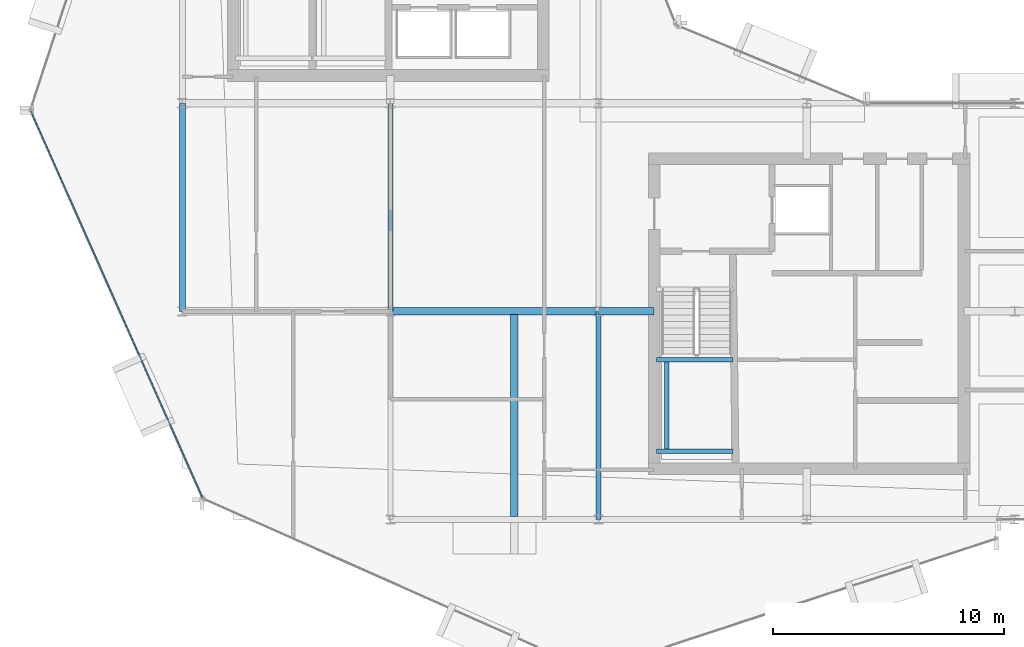
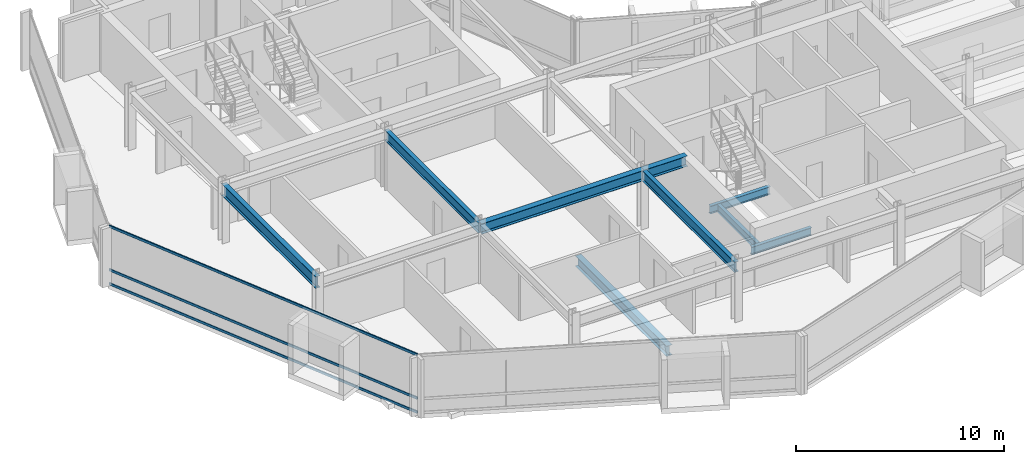
# One storey, part 5 of 28: 9 beams, 3 members, 1 element without a shape of its own.
"""IFC4 building model written with IfcOpenShell, lengths in metres."""

import ifcopenshell
import ifcopenshell.guid

model = None  # the IFC model being written
_history = None  # IfcOwnerHistory: only IFC2X3 demands one
_inside = {}  # id of a spatial element -> (the spatial element, [elements in it])
_under = {}  # id of a project, library or spatial element -> (it, [spatial elements below it])
_declared = {}  # id of a project -> (the project, [libraries it declares])
_typed = {}  # id of a type object -> (the type object, [elements of that type])
_made_of = {}  # id of a material, layer set ... -> (it, [elements and type objects made of it])


def new_model(schema):
    """Start an empty IFC model of exactly this schema.

    Asked for "IFC4X3", IfcOpenShell would pick the latest addendum, in which some entities
    have other attributes; the version numbers below select the first issue.
    IFC2X3 requires an IfcOwnerHistory on every rooted entity: one is made here for all.
    """
    global model, _history
    if schema == "IFC4X3":
        model = ifcopenshell.file(schema_version=(4, 3, 0, 0))
    else:
        model = ifcopenshell.file(schema=schema)
    _inside.clear()
    _under.clear()
    _declared.clear()
    _typed.clear()
    _made_of.clear()
    _history = None
    if model.schema == "IFC2X3":
        org = make("IfcOrganization", Name="unknown")
        user = make(
            "IfcPersonAndOrganization",
            ThePerson=make("IfcPerson", FamilyName="unknown"),
            TheOrganization=org,
        )
        app = make(
            "IfcApplication",
            ApplicationDeveloper=org,
            Version="unknown",
            ApplicationFullName="unknown",
            ApplicationIdentifier="unknown",
        )
        _history = make(
            "IfcOwnerHistory",
            OwningUser=user,
            OwningApplication=app,
            ChangeAction="ADDED",
            CreationDate=0,
        )
    return model


def make(cls, **values):
    """One entity of the class cls with the attributes given. An attribute that is None is left unset."""
    return model.create_entity(
        cls, **{name: value for name, value in values.items() if value is not None}
    )


def rooted(cls, **values):
    """An entity with a GlobalId (a new one), such as an element, a storey or a relation."""
    return make(cls, GlobalId=ifcopenshell.guid.new(), OwnerHistory=_history, **values)


def si_unit(unit_type, name, prefix=None):
    """IfcSIUnit, for example si_unit("LENGTHUNIT", "METRE", prefix="MILLI")."""
    return make("IfcSIUnit", UnitType=unit_type, Prefix=prefix, Name=name)


def assignment(units):
    """IfcUnitAssignment: the units of a project."""
    return None if units is None else make("IfcUnitAssignment", Units=units)


def point(xyz):
    """IfcCartesianPoint."""
    return None if xyz is None else make("IfcCartesianPoint", Coordinates=xyz)


def direction(xyz):
    """IfcDirection."""
    return None if xyz is None else make("IfcDirection", DirectionRatios=xyz)


def frame(location, z_axis=None, x_axis=None):
    """IfcAxis2Placement3D, a coordinate frame: its origin and axes. An axis left out is left unset."""
    return make(
        "IfcAxis2Placement3D",
        Location=point(location),
        Axis=direction(z_axis),
        RefDirection=direction(x_axis),
    )


def frame_2d(location, x_axis=None):
    """IfcAxis2Placement2D, a coordinate frame in the plane: its origin and x axis."""
    return make(
        "IfcAxis2Placement2D", Location=point(location), RefDirection=direction(x_axis)
    )


def origin():
    """The frame at (0, 0, 0) with its axes left unset."""
    return frame((0.0, 0.0, 0.0))


def origin_2d():
    """The frame at (0, 0) in the plane with its x axis left unset."""
    return frame_2d((0.0, 0.0))


def place(relative_to, where):
    """IfcLocalPlacement: puts the frame where relative to a parent placement (None: the world)."""
    return make(
        "IfcLocalPlacement", PlacementRelTo=relative_to, RelativePlacement=where
    )


def context(
    kind, dimensions, precision=None, world=None, true_north=None, identifier=None
):
    """IfcGeometricRepresentationContext, for example the 3D "Model" context."""
    return make(
        "IfcGeometricRepresentationContext",
        ContextIdentifier=identifier,
        ContextType=kind,
        CoordinateSpaceDimension=dimensions,
        Precision=precision,
        WorldCoordinateSystem=world,
        TrueNorth=true_north,
    )


def subcontext(parent, identifier, kind, view, scale=None):
    """IfcGeometricRepresentationSubContext, for example "Body" below "Model"."""
    return make(
        "IfcGeometricRepresentationSubContext",
        ContextIdentifier=identifier,
        ContextType=kind,
        ParentContext=parent,
        TargetScale=scale,
        TargetView=view,
    )


def project(units=None, contexts=None):
    """IfcProject with its units and contexts."""
    return rooted(
        "IfcProject",
        Name="project",
        RepresentationContexts=contexts,
        UnitsInContext=assignment(units),
    )


def spatial(cls, under=None, at=None, **own):
    """A site, building, storey or space (cls), placed at a placement, below another one or the project."""
    s = rooted(cls, ObjectPlacement=at, **own)
    if under is not None:
        _under.setdefault(under.id(), (under, []))[1].append(s)
    return s


def profile(cls, at=None, kind="AREA", **sizes):
    """A parametric profile (cls). Its sizes go by their IFC names, for example OverallWidth=200.0."""
    return make(cls, ProfileType=kind, Position=at, **sizes)


def hollow_rectangle(**sizes):
    """IfcRectangleHollowProfileDef."""
    return profile("IfcRectangleHollowProfileDef", **sizes)


def i_section(**sizes):
    """IfcIShapeProfileDef."""
    return profile("IfcIShapeProfileDef", **sizes)


def extrude(swept, where, along, depth):
    """IfcExtrudedAreaSolid: the profile swept, set in the frame where, extruded along a direction by depth."""
    return make(
        "IfcExtrudedAreaSolid",
        SweptArea=swept,
        Position=where,
        ExtrudedDirection=direction(along),
        Depth=depth,
    )


def shape(context_of_items, identifier, shape_type, items):
    """IfcShapeRepresentation: the items that make up one representation, for example the "Body"."""
    return make(
        "IfcShapeRepresentation",
        ContextOfItems=context_of_items,
        RepresentationIdentifier=identifier,
        RepresentationType=shape_type,
        Items=items,
    )


def material(Name=None, Category=None):
    """IfcMaterial."""
    return make("IfcMaterial", Name=Name, Category=Category)


def layer(
    of_material, thickness, ventilated=None, Name=None, Category=None, Priority=None
):
    """IfcMaterialLayer: one layer of a wall or slab, of a material (None: an air gap)."""
    return make(
        "IfcMaterialLayer",
        Material=of_material,
        LayerThickness=thickness,
        IsVentilated=ventilated,
        Name=Name,
        Category=Category,
        Priority=Priority,
    )


def layer_set(layers, Name=None):
    """IfcMaterialLayerSet."""
    return make("IfcMaterialLayerSet", MaterialLayers=layers, LayerSetName=Name)


def material_profile(
    of_material, cross_section, Name=None, Category=None, Priority=None
):
    """IfcMaterialProfile: a cross section and its material."""
    return make(
        "IfcMaterialProfile",
        Name=Name,
        Material=of_material,
        Profile=cross_section,
        Priority=Priority,
        Category=Category,
    )


def profile_set(profiles, Name=None, composite=None):
    """IfcMaterialProfileSet."""
    return make(
        "IfcMaterialProfileSet",
        Name=Name,
        MaterialProfiles=profiles,
        CompositeProfile=composite,
    )


def made_of(thing, what):
    """Note that an element or type object is made of a material, layer set ...; save() writes the relation."""
    if what is not None:
        _made_of.setdefault(what.id(), (what, []))[1].append(thing)
    return thing


def type_object(cls, material=None, **own):
    """A type object (cls), such as IfcWallType, which elements share."""
    return made_of(rooted(cls, **own), material)


def element(
    cls,
    number,
    at=None,
    inside=None,
    cuts=None,
    type_object=None,
    material=None,
    context=None,
    identifier="Body",
    shape_type=None,
    held_by="IfcProductDefinitionShape",
    body=None,
    shapes=None,
    **own,
):
    """One element of the class cls, such as IfcWall. Its Tag is "e" and its number.

    at: its placement. inside: the storey or other place that contains it. cuts: it is an
    opening in that element (IfcRelVoidsElement). A single representation is given by context,
    identifier, shape_type and body (its items); several are given by shapes. held_by: the class
    of the entity that holds the representations. save() writes the other relations.
    """
    e = rooted(cls, Tag="e%d" % number, ObjectPlacement=at, **own)
    if body is not None:
        shapes = [shape(context, identifier, shape_type, body)]
    if shapes is not None:
        e.Representation = make(held_by, Representations=shapes)
    if inside is not None:
        _inside.setdefault(inside.id(), (inside, []))[1].append(e)
    if cuts is not None:
        rooted(
            "IfcRelVoidsElement", RelatingBuildingElement=cuts, RelatedOpeningElement=e
        )
    if type_object is not None:
        _typed.setdefault(type_object.id(), (type_object, []))[1].append(e)
    return made_of(e, material)


def aggregate(whole, parts):
    """IfcRelAggregates: a whole, such as a stair, and the parts it consists of."""
    return rooted("IfcRelAggregates", RelatingObject=whole, RelatedObjects=parts)


def save(model, path):
    """Write the relations noted so far, then the file.

    IfcRelAggregates (storeys below a building ...), IfcRelContainedInSpatialStructure (elements
    in a storey), IfcRelDefinesByType, IfcRelAssociatesMaterial and IfcRelDeclares: one each for
    every whole, place, type object, material and project.
    """
    for whole, parts in _under.values():
        aggregate(whole, parts)
    for where, things in _inside.values():
        rooted(
            "IfcRelContainedInSpatialStructure",
            RelatedElements=things,
            RelatingStructure=where,
        )
    for kind, things in _typed.values():
        rooted("IfcRelDefinesByType", RelatedObjects=things, RelatingType=kind)
    for what, things in _made_of.values():
        rooted("IfcRelAssociatesMaterial", RelatedObjects=things, RelatingMaterial=what)
    for by, libraries in _declared.values():
        rooted("IfcRelDeclares", RelatingContext=by, RelatedDefinitions=libraries)
    model.write(path)


model = new_model("IFC4")

# Units and contexts
model_context = context("Model", 3, precision=1e-05, world=origin(), true_north=direction((0.0, 1.0)))
body_context = subcontext(model_context, "Body", "Model", "MODEL_VIEW")
ifc_project = project(units=[si_unit("LENGTHUNIT", "METRE"), si_unit("AREAUNIT", "SQUARE_METRE"), si_unit("VOLUMEUNIT", "CUBIC_METRE"), si_unit("PLANEANGLEUNIT", "RADIAN"), si_unit("MASSUNIT", "GRAM", prefix="KILO")], contexts=[model_context])

# Site, building, storey
site_placement = place(None, origin())
site = spatial("IfcSite", under=ifc_project, at=site_placement, CompositionType="ELEMENT")
building_placement = place(site_placement, origin())
building = spatial("IfcBuilding", under=site, at=building_placement, Name="Solvaryn Broadcast Tower", CompositionType="ELEMENT")
storey_placement = place(building_placement, frame((0.0, 0.0, 206.199951171875)))
storey = spatial("IfcBuildingStorey", under=building, at=storey_placement, Name="L51", CompositionType="ELEMENT", Elevation=206.199951171875)

# Beams
ifc_material_1 = material(Name="Steel ASTM A992 Grade 50", Category="steel")
ifc_material_profile_1 = material_profile(ifc_material_1, i_section(OverallWidth=0.323974609375, OverallDepth=0.611083984375, WebThickness=0.0126953125, FlangeThickness=0.01904296875, FilletRadius=0.014892578125, at=origin_2d()))
ifc_profile_set_1 = profile_set([ifc_material_profile_1], Name="Steel ASTM A992 Grade 50")
beam_type_1 = type_object("IfcBeamType", Name="BM-B1-W24X104", PredefinedType="BEAM", material=ifc_profile_set_1)
beam_1_placement = place(storey_placement, frame((23.35009765625, 17.875, -0.58544921875), z_axis=(0.0, -1.0, 0.0), x_axis=(1.0, 0.0, 0.0)))
element("IfcBeam", 1, at=beam_1_placement, inside=storey, type_object=beam_type_1, Name="L51 Bay-Box Back-Span Beam 1", PredefinedType="BEAM", context=body_context, shape_type="SweptSolid", body=[
    extrude(i_section(OverallWidth=0.323974609375, OverallDepth=0.611083984375, WebThickness=0.0126953125, FlangeThickness=0.01904296875, FilletRadius=0.014892578125, at=origin_2d()), origin(), (0.0, 0.0, 1.0), 8.75),
])
beam_2_placement = place(storey_placement, frame((18.0, 18.0, 3.114501953125), z_axis=(1.0, 0.0, 0.0), x_axis=(0.0, 1.0, 0.0)))
element("IfcBeam", 2, at=beam_2_placement, inside=storey, type_object=beam_type_1, Name="L51 Primary Beam X (18-27 @ Y=18)", PredefinedType="BEAM", context=body_context, shape_type="SweptSolid", body=[
    extrude(i_section(OverallWidth=0.323974609375, OverallDepth=0.611083984375, WebThickness=0.0126953125, FlangeThickness=0.01904296875, FilletRadius=0.014892578125, at=origin_2d()), origin(), (0.0, 0.0, 1.0), 9.0),
])
beam_3_placement = place(storey_placement, frame((27.0, 18.0, 3.114501953125), z_axis=(1.0, 0.0, 0.0), x_axis=(0.0, 1.0, 0.0)))
element("IfcBeam", 3, at=beam_3_placement, inside=storey, type_object=beam_type_1, Name="L51 Core Tie Beam CTE4", PredefinedType="BEAM", context=body_context, shape_type="SweptSolid", body=[
    extrude(i_section(OverallWidth=0.323974609375, OverallDepth=0.611083984375, WebThickness=0.0126953125, FlangeThickness=0.01904296875, FilletRadius=0.014892578125, at=origin_2d()), origin(), (0.0, 0.0, 1.0), 2.39990234375),
])
ifc_material_2 = material(Name="Steel ASTM A992 Grade 50", Category="steel")
ifc_material_profile_2 = material_profile(ifc_material_2, i_section(OverallWidth=0.22802734375, OverallDepth=0.60791015625, WebThickness=0.01123046875, FlangeThickness=0.017333984375, FilletRadius=0.014892578125, at=origin_2d()))
ifc_profile_set_2 = profile_set([ifc_material_profile_2], Name="Steel ASTM A992 Grade 50")
beam_type_2 = type_object("IfcBeamType", Name="BM-B2-W24X76", PredefinedType="BEAM", material=ifc_profile_set_2)
for number, where, z_axis, x_axis, name in (
    (4, (18.0, 18.0, 3.115966796875), (0.0, 1.0, 0.0), (-1.0, 0.0, 0.0), "L51 Primary Beam Y (18-27 @ X=18)"),
    (5, (27.0, 9.0, 3.115966796875), (0.0, 1.0, 0.0), (-1.0, 0.0, 0.0), "L51 Primary Beam Y (9-18 @ X=27)"),
):
    element("IfcBeam", number, at=place(storey_placement, frame(where, z_axis=z_axis, x_axis=x_axis)), inside=storey, type_object=beam_type_2, Name=name, PredefinedType="BEAM", context=body_context, shape_type="SweptSolid", body=[
        extrude(i_section(OverallWidth=0.22802734375, OverallDepth=0.60791015625, WebThickness=0.01123046875, FlangeThickness=0.017333984375, FilletRadius=0.014892578125, at=origin_2d()), origin(), (0.0, 0.0, 1.0), 9.0),
    ])
ifc_material_3 = material(Name="Steel ASTM A992 Grade 50", Category="steel")
ifc_material_profile_3 = material_profile(ifc_material_3, i_section(OverallWidth=0.18994140625, OverallDepth=0.45703125, WebThickness=0.009033203125, FlangeThickness=0.014404296875, FilletRadius=0.011962890625, at=origin_2d()))
ifc_profile_set_3 = profile_set([ifc_material_profile_3], Name="Steel ASTM A992 Grade 50")
beam_type_3 = type_object("IfcBeamType", Name="BM-B4-W18X50", PredefinedType="BEAM", material=ifc_profile_set_3)
for number, where, z_axis, x_axis, name in (
    (6, (29.5, 11.949951171875, 1.421630859375), (1.0, 0.0, 0.0), (0.0, 1.0, 0.0), "L51 ST3 Landing Support Beam 1A"),
    (7, (29.5, 15.909912109375, 1.421630859375), (1.0, 0.0, 0.0), (0.0, 1.0, 0.0), "L51 ST3 Landing Support Beam 1B"),
):
    element("IfcBeam", number, at=place(storey_placement, frame(where, z_axis=z_axis, x_axis=x_axis)), inside=storey, type_object=beam_type_3, Name=name, PredefinedType="BEAM", context=body_context, shape_type="SweptSolid", body=[
        extrude(i_section(OverallWidth=0.18994140625, OverallDepth=0.45703125, WebThickness=0.009033203125, FlangeThickness=0.014404296875, FilletRadius=0.011962890625, at=origin_2d()), origin(), (0.0, 0.0, 1.0), 3.320068359375),
    ])
beam_4_placement = place(storey_placement, frame((29.949951171875, 11.949951171875, 1.421630859375), z_axis=(0.0, 1.0, 0.0), x_axis=(-1.0, 0.0, 0.0)))
element("IfcBeam", 8, at=beam_4_placement, inside=storey, type_object=beam_type_3, Name="L51 ST3 Landing Cross Stringer 1C", PredefinedType="BEAM", context=body_context, shape_type="SweptSolid", body=[
    extrude(i_section(OverallWidth=0.18994140625, OverallDepth=0.45703125, WebThickness=0.009033203125, FlangeThickness=0.014404296875, FilletRadius=0.011962890625, at=origin_2d()), origin(), (0.0, 0.0, 1.0), 3.9599609375),
])
ifc_material_4 = material(Name="Steel ASTM A992 Grade 50", Category="steel")
ifc_material_profile_4 = material_profile(ifc_material_4, i_section(OverallWidth=0.256103515625, OverallDepth=0.693115234375, WebThickness=0.014404296875, FlangeThickness=0.023681640625, FilletRadius=0.01611328125, at=origin_2d()))
ifc_profile_set_4 = profile_set([ifc_material_profile_4], Name="Steel ASTM A992 Grade 50")
beam_type_4 = type_object("IfcBeamType", Name="BM-SP3-W27X114", PredefinedType="USERDEFINED", material=ifc_profile_set_4)
beam_5_placement = place(storey_placement, frame((9.0, 18.0, 3.073486328125), z_axis=(0.0, 1.0, 0.0), x_axis=(-1.0, 0.0, 0.0)))
element("IfcBeam", 9, at=beam_5_placement, inside=storey, type_object=beam_type_4, Name="L51 Spandrel Beam Y (18-27 @ X=9)", ObjectType="SPANDREL", PredefinedType="USERDEFINED", context=body_context, shape_type="SweptSolid", body=[
    extrude(i_section(OverallWidth=0.256103515625, OverallDepth=0.693115234375, WebThickness=0.014404296875, FlangeThickness=0.023681640625, FilletRadius=0.01611328125, at=origin_2d()), origin(), (0.0, 0.0, 1.0), 9.0),
])

# Curtain wall, members
ifc_material_5 = material(Name="Aluminium and Terracotta Unitised Curtain Wall", Category="masonry")
ifc_layer = layer(ifc_material_5, 0.199951171875)
ifc_layer_set = layer_set([ifc_layer], Name="CW-SYS2-LOWMID")
curtain_wall_type = type_object("IfcCurtainWallType", Name="CW-SYS2-LOWMID", PredefinedType="NOTDEFINED", material=ifc_layer_set)
curtain_wall_placement = place(storey_placement, origin())
curtain_wall = element("IfcCurtainWall", 10, at=curtain_wall_placement, inside=storey, type_object=curtain_wall_type, Name="L51 Curtain Wall DR2", PredefinedType="NOTDEFINED")
ifc_material_6 = material(Name="Anodised Aluminium 6063-T6", Category="aluminium")
ifc_material_profile_5 = material_profile(ifc_material_6, hollow_rectangle(XDim=0.06494140625, YDim=0.14990234375, WallThickness=0.00390625, InnerFilletRadius=0.00390625, OuterFilletRadius=0.008056640625, at=origin_2d()))
ifc_profile_set_5 = profile_set([ifc_material_profile_5], Name="Anodised Aluminium 6063-T6")
member_type = type_object("IfcMemberType", Name="CW-TRN-150", PredefinedType="USERDEFINED", material=ifc_profile_set_5)
member_1_placement = place(storey_placement, frame((2.457275390625, 26.651123046875, 0.030029296875), z_axis=(0.405901653299, -0.913916761992, 0.0), x_axis=(0.913916761992, 0.405901653299, 0.0)))
member_1 = element("IfcMember", 11, at=member_1_placement, type_object=member_type, Name="CWS2 transom 1.1", ObjectType="TRANSOM", PredefinedType="USERDEFINED", context=body_context, shape_type="SweptSolid", body=[
    extrude(hollow_rectangle(XDim=0.06494140625, YDim=0.14990234375, WallThickness=0.00390625, InnerFilletRadius=0.00390625, OuterFilletRadius=0.008056640625, at=origin_2d()), origin(), (0.0, 0.0, 1.0), 18.27099609375),
])
member_2_placement = place(storey_placement, frame((2.457275390625, 26.651123046875, 0.85009765625), z_axis=(0.405901653299, -0.913916761992, 0.0), x_axis=(0.913916761992, 0.405901653299, 0.0)))
member_2 = element("IfcMember", 12, at=member_2_placement, type_object=member_type, Name="CWS2 transom 1.2", ObjectType="TRANSOM", PredefinedType="USERDEFINED", context=body_context, shape_type="SweptSolid", body=[
    extrude(hollow_rectangle(XDim=0.06494140625, YDim=0.14990234375, WallThickness=0.00390625, InnerFilletRadius=0.00390625, OuterFilletRadius=0.008056640625, at=origin_2d()), origin(), (0.0, 0.0, 1.0), 18.27099609375),
])
member_3_placement = place(storey_placement, frame((2.457275390625, 26.651123046875, 3.39013671875), z_axis=(0.405901653299, -0.913916761992, 0.0), x_axis=(0.913916761992, 0.405901653299, 0.0)))
member_3 = element("IfcMember", 13, at=member_3_placement, type_object=member_type, Name="CWS2 transom 1.3", ObjectType="TRANSOM", PredefinedType="USERDEFINED", context=body_context, shape_type="SweptSolid", body=[
    extrude(hollow_rectangle(XDim=0.06494140625, YDim=0.14990234375, WallThickness=0.00390625, InnerFilletRadius=0.00390625, OuterFilletRadius=0.008056640625, at=origin_2d()), origin(), (0.0, 0.0, 1.0), 18.27099609375),
])
aggregate(curtain_wall, [member_1, member_2, member_3])

save(model, "model.ifc")
